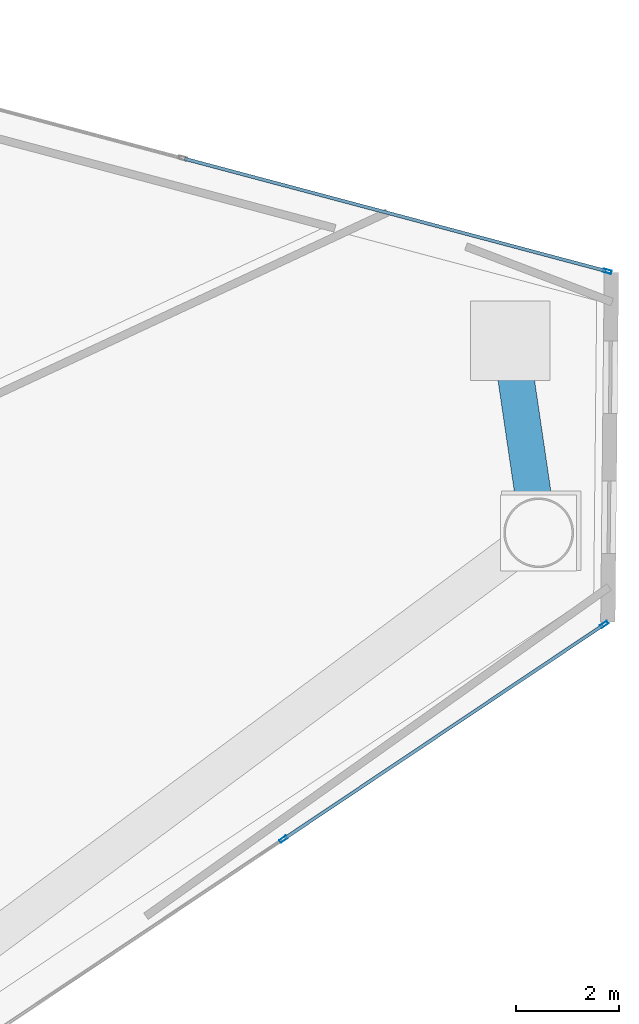
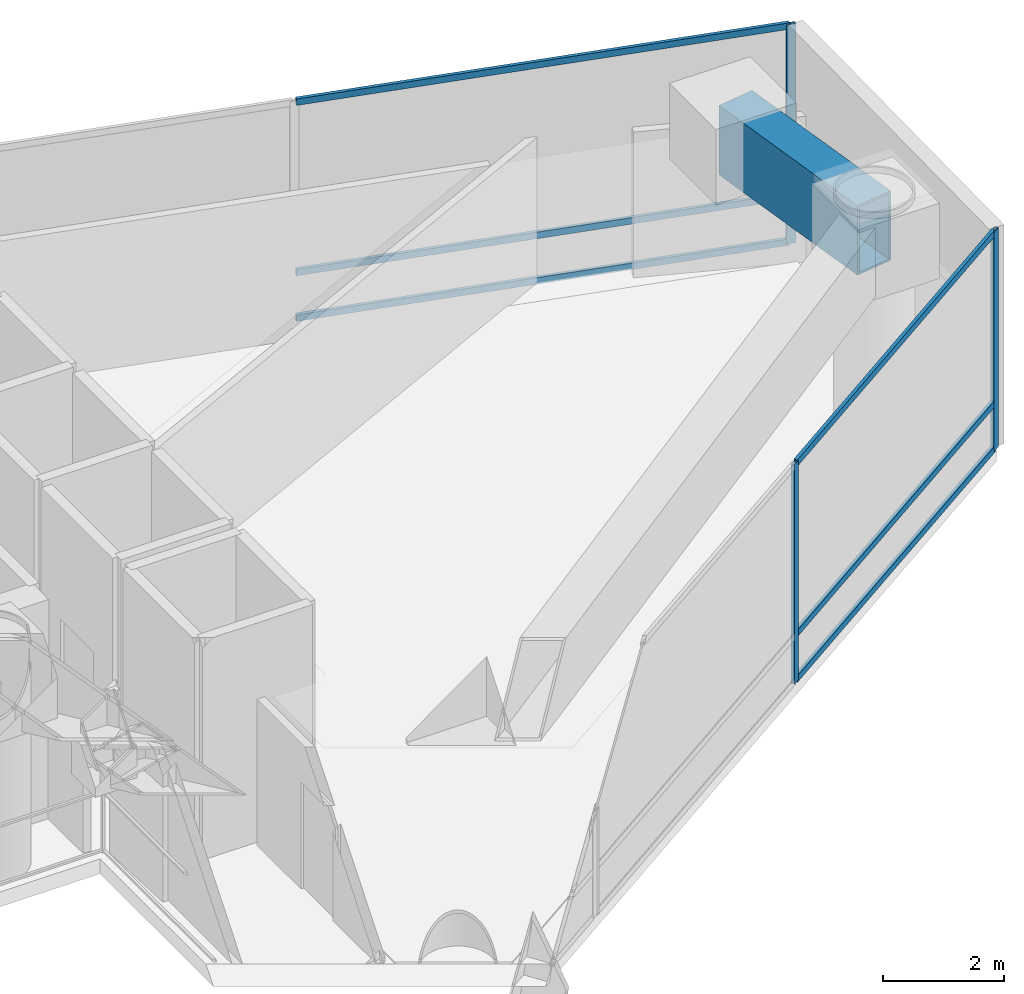
# One storey, part 14 of 22: 9 members, 1 beam, 2 elements without a shape of their own.
"""IFC4 building model written with IfcOpenShell, lengths in metres."""

from ifc_helpers import new_model, si_unit, direction, frame, origin, origin_2d, place, context, subcontext, project, spatial, hollow_rectangle, extrude, material, layer, layer_set, material_profile, profile_set, type_object, element, aggregate, save


model = new_model("IFC4")

# Units and contexts
model_context = context("Model", 3, precision=1e-05, world=origin(), true_north=direction((0.0, 1.0)))
body_context = subcontext(model_context, "Body", "Model", "MODEL_VIEW")
ifc_project = project(units=[si_unit("LENGTHUNIT", "METRE"), si_unit("AREAUNIT", "SQUARE_METRE"), si_unit("VOLUMEUNIT", "CUBIC_METRE"), si_unit("PLANEANGLEUNIT", "RADIAN"), si_unit("MASSUNIT", "GRAM", prefix="KILO")], contexts=[model_context])

# Site, building, storey
site_placement = place(None, origin())
site = spatial("IfcSite", under=ifc_project, at=site_placement, CompositionType="ELEMENT")
building_placement = place(site_placement, origin())
building = spatial("IfcBuilding", under=site, at=building_placement, Name="Qianvela Tower", CompositionType="ELEMENT")
storey_placement = place(building_placement, frame((0.0, 0.0, 184.60009765625)))
storey = spatial("IfcBuildingStorey", under=building, at=storey_placement, Name="L47", CompositionType="ELEMENT", Elevation=184.60009765625)

# Beam
ifc_material_1 = material(Name="Steel Q420GJC", Category="steel")
ifc_material_profile_1 = material_profile(ifc_material_1, hollow_rectangle(XDim=0.699951171875, YDim=1.39990234375, WallThickness=0.0400390625, at=origin_2d()), Name="TG-BOX-1400x700x40")
ifc_profile_set_1 = profile_set([ifc_material_profile_1], Name="Steel Q420GJC")
beam_type = type_object("IfcBeamType", Name="BM-TG-STEP-1400", PredefinedType="BEAM", material=ifc_profile_set_1)
beam_placement = place(storey_placement, frame((57.43408203125, 27.617919921875, 3.718017578125), z_axis=(-0.14550351077, 0.989357735278, 0.0), x_axis=(-0.989357735278, -0.14550351077, 0.0)))
element("IfcBeam", 1, at=beam_placement, inside=storey, type_object=beam_type, Name="L47 Zone-Step Transfer Girder 1", PredefinedType="BEAM", context=body_context, shape_type="SweptSolid", body=[
    extrude(hollow_rectangle(XDim=0.699951171875, YDim=1.39990234375, WallThickness=0.0400390625, at=origin_2d()), origin(), (0.0, 0.0, 1.0), 3.69140625),
])

# Curtain wall, member
ifc_material_2 = material(Name="Anodised Architectural Aluminium and Low-E Glass", Category="aluminium")
ifc_layer = layer(ifc_material_2, 0.169921875)
ifc_layer_set = layer_set([ifc_layer], Name="Anodised Architectural Aluminium and Low-E Glass")
curtain_wall_type = type_object("IfcCurtainWallType", Name="CW-COLIV-Z34", PredefinedType="USERDEFINED", material=ifc_layer_set)
curtain_wall_1_placement = place(storey_placement, origin())
curtain_wall_1 = element("IfcCurtainWall", 2, at=curtain_wall_1_placement, inside=storey, type_object=curtain_wall_type, Name="L47 CW-COLIV-Z34 Curtain Wall 02A", ObjectType="CURTAIN_WALL_SYSTEM", PredefinedType="USERDEFINED")
ifc_material_3 = material(Name="Anodised Architectural Aluminium 6063-T6", Category="aluminium")
ifc_material_profile_2 = material_profile(ifc_material_3, hollow_rectangle(XDim=0.06494140625, YDim=0.159912109375, WallThickness=0.0048828125, at=origin_2d()), Name="ALU-MULL-65x160")
ifc_profile_set_2 = profile_set([ifc_material_profile_2], Name="Anodised Architectural Aluminium 6063-T6")
member_type_1 = type_object("IfcMemberType", Name="CW-COLIV-Z34-MULL", PredefinedType="MULLION", material=ifc_profile_set_2)
member_1_placement = place(storey_placement, frame((58.76220703125, 32.675537109375, 0.0), z_axis=(0.0, 0.0, 1.0), x_axis=(-0.257350339516, -0.966318168489, 0.0)))
member_1 = element("IfcMember", 3, at=member_1_placement, type_object=member_type_1, Name="CW-4 mullion 1", PredefinedType="MULLION", context=body_context, shape_type="SweptSolid", body=[
    extrude(hollow_rectangle(XDim=0.06494140625, YDim=0.159912109375, WallThickness=0.0048828125, at=origin_2d()), origin(), (0.0, 0.0, 1.0), 4.419921875),
])

# Curtain wall, members
curtain_wall_2_placement = place(storey_placement, origin())
curtain_wall_2 = element("IfcCurtainWall", 4, at=curtain_wall_2_placement, inside=storey, type_object=curtain_wall_type, Name="L47 CW-COLIV-Z34 Curtain Wall 06C", ObjectType="CURTAIN_WALL_SYSTEM", PredefinedType="USERDEFINED")
member_2_placement = place(storey_placement, frame((52.49560546875, 21.689697265625, 0.0), z_axis=(0.0, 0.0, 1.0), x_axis=(-0.55619398887, 0.831052493375, 0.0)))
member_2 = element("IfcMember", 5, at=member_2_placement, type_object=member_type_1, Name="CW-4 mullion 2", PredefinedType="MULLION", context=body_context, shape_type="SweptSolid", body=[
    extrude(hollow_rectangle(XDim=0.06494140625, YDim=0.159912109375, WallThickness=0.0048828125, at=origin_2d()), origin(), (0.0, 0.0, 1.0), 4.419921875),
])
member_3_placement = place(storey_placement, frame((58.704345703125, 25.844970703125, 0.0), z_axis=(0.0, 0.0, 1.0), x_axis=(-0.55619398887, 0.831052493375, 0.0)))
member_3 = element("IfcMember", 6, at=member_3_placement, type_object=member_type_1, Name="CW-4 mullion 3", PredefinedType="MULLION", context=body_context, shape_type="SweptSolid", body=[
    extrude(hollow_rectangle(XDim=0.06494140625, YDim=0.159912109375, WallThickness=0.0048828125, at=origin_2d()), origin(), (0.0, 0.0, 1.0), 4.419921875),
])

# Member
ifc_material_4 = material(Name="Anodised Architectural Aluminium 6063-T6", Category="aluminium")
ifc_material_profile_3 = material_profile(ifc_material_4, hollow_rectangle(XDim=0.06494140625, YDim=0.1298828125, WallThickness=0.00439453125, at=origin_2d()), Name="ALU-TRAN-65x130")
ifc_profile_set_3 = profile_set([ifc_material_profile_3], Name="Anodised Architectural Aluminium 6063-T6")
member_type_2 = type_object("IfcMemberType", Name="CW-COLIV-Z34-TRAN", PredefinedType="USERDEFINED", material=ifc_profile_set_3)
member_4_placement = place(storey_placement, frame((58.730712890625, 32.683837890625, 0.032470703125), z_axis=(-0.966316102557, 0.257358096705, 0.0), x_axis=(-0.257358096705, -0.966316102557, 0.0)))
member_4 = element("IfcMember", 7, at=member_4_placement, type_object=member_type_2, Name="CW-4 transom 1.1", ObjectType="TRANSOM", PredefinedType="USERDEFINED", context=body_context, shape_type="SweptSolid", body=[
    extrude(hollow_rectangle(XDim=0.06494140625, YDim=0.1298828125, WallThickness=0.00439453125, at=origin_2d()), origin(), (0.0, 0.0, 1.0), 8.432373046875),
])

member_5_placement = place(storey_placement, frame((58.730712890625, 32.683837890625, 0.949951171875), z_axis=(-0.966316102557, 0.257358096705, 0.0), x_axis=(-0.257358096705, -0.966316102557, 0.0)))
member_5 = element("IfcMember", 8, at=member_5_placement, type_object=member_type_2, Name="CW-4 transom 1.2", ObjectType="TRANSOM", PredefinedType="USERDEFINED", context=body_context, shape_type="SweptSolid", body=[
    extrude(hollow_rectangle(XDim=0.06494140625, YDim=0.1298828125, WallThickness=0.00439453125, at=origin_2d()), origin(), (0.0, 0.0, 1.0), 8.432373046875),
])

member_6_placement = place(storey_placement, frame((58.730712890625, 32.683837890625, 4.387451171875), z_axis=(-0.966316102557, 0.257358096705, 0.0), x_axis=(-0.257358096705, -0.966316102557, 0.0)))
member_6 = element("IfcMember", 9, at=member_6_placement, type_object=member_type_2, Name="CW-4 transom 1.3", ObjectType="TRANSOM", PredefinedType="USERDEFINED", context=body_context, shape_type="SweptSolid", body=[
    extrude(hollow_rectangle(XDim=0.06494140625, YDim=0.1298828125, WallThickness=0.00439453125, at=origin_2d()), origin(), (0.0, 0.0, 1.0), 8.432373046875),
])

aggregate(curtain_wall_1, [member_1, member_4, member_5, member_6])

member_7_placement = place(storey_placement, frame((52.522705078125, 21.707763671875, 0.032470703125), z_axis=(0.831054928106, 0.556190350932, 0.0), x_axis=(-0.556190350932, 0.831054928106, 0.0)))
member_7 = element("IfcMember", 10, at=member_7_placement, type_object=member_type_2, Name="CW-4 transom 2.1", ObjectType="TRANSOM", PredefinedType="USERDEFINED", context=body_context, shape_type="SweptSolid", body=[
    extrude(hollow_rectangle(XDim=0.06494140625, YDim=0.1298828125, WallThickness=0.00439453125, at=origin_2d()), origin(), (0.0, 0.0, 1.0), 7.406005859375),
])

member_8_placement = place(storey_placement, frame((52.522705078125, 21.707763671875, 0.949951171875), z_axis=(0.831054928106, 0.556190350932, 0.0), x_axis=(-0.556190350932, 0.831054928106, 0.0)))
member_8 = element("IfcMember", 11, at=member_8_placement, type_object=member_type_2, Name="CW-4 transom 2.2", ObjectType="TRANSOM", PredefinedType="USERDEFINED", context=body_context, shape_type="SweptSolid", body=[
    extrude(hollow_rectangle(XDim=0.06494140625, YDim=0.1298828125, WallThickness=0.00439453125, at=origin_2d()), origin(), (0.0, 0.0, 1.0), 7.406005859375),
])

member_9_placement = place(storey_placement, frame((52.522705078125, 21.707763671875, 4.387451171875), z_axis=(0.831054928106, 0.556190350932, 0.0), x_axis=(-0.556190350932, 0.831054928106, 0.0)))
member_9 = element("IfcMember", 12, at=member_9_placement, type_object=member_type_2, Name="CW-4 transom 2.3", ObjectType="TRANSOM", PredefinedType="USERDEFINED", context=body_context, shape_type="SweptSolid", body=[
    extrude(hollow_rectangle(XDim=0.06494140625, YDim=0.1298828125, WallThickness=0.00439453125, at=origin_2d()), origin(), (0.0, 0.0, 1.0), 7.406005859375),
])

aggregate(curtain_wall_2, [member_2, member_3, member_7, member_8, member_9])

save(model, "model.ifc")
